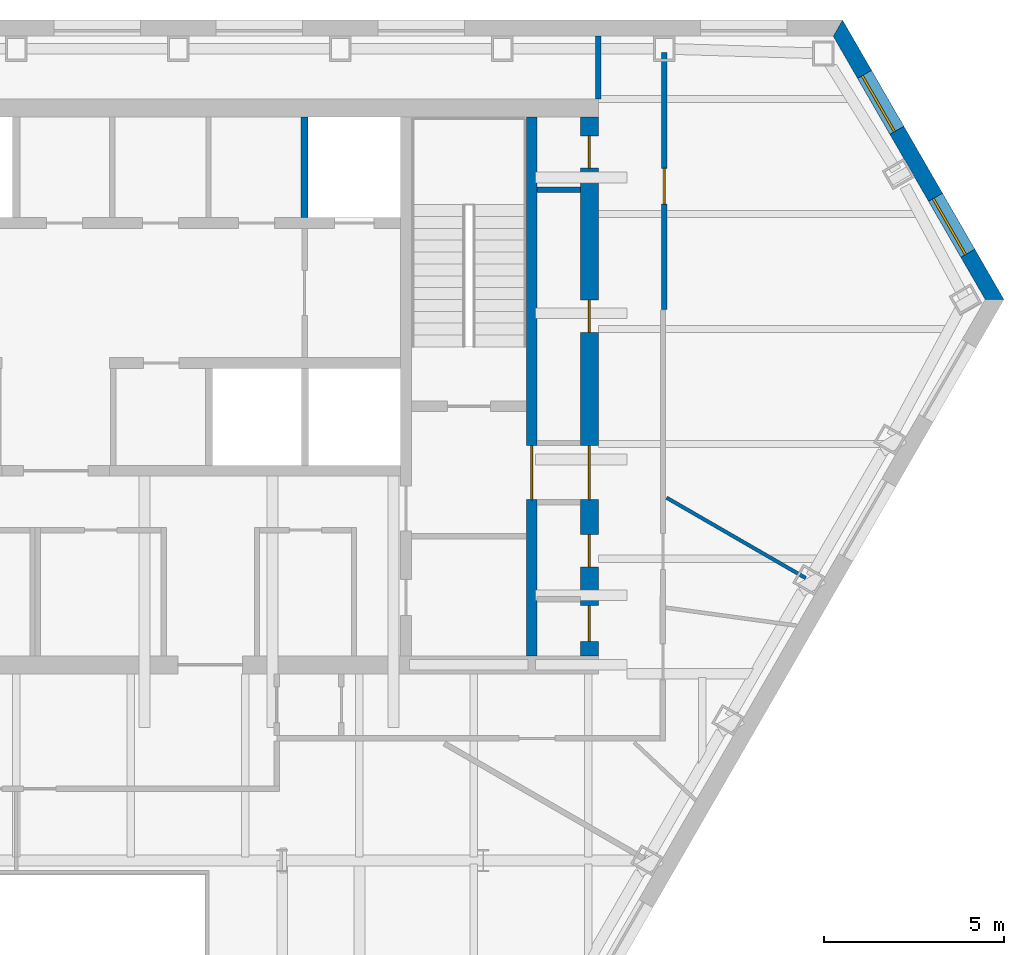
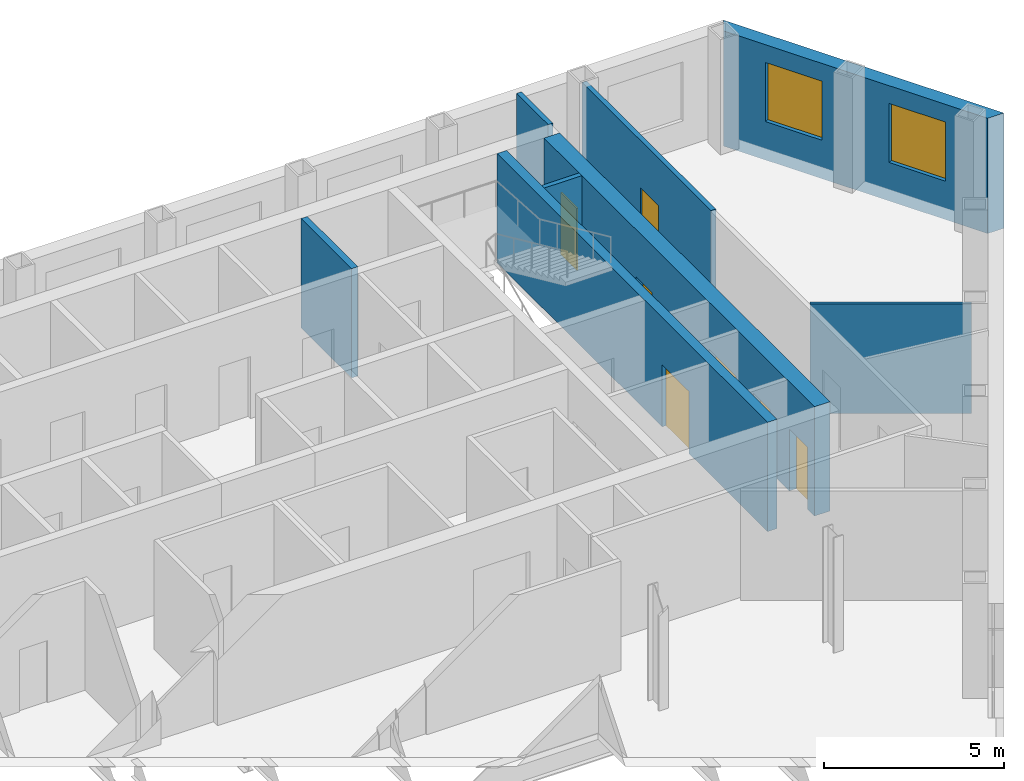
# One storey, part 8 of 11: 8 walls, 7 doors, 2 windows, 9 openings.
"""IFC4 building model written with IfcOpenShell, lengths in metres."""

from ifc_helpers import new_model, si_unit, direction, frame, frame_2d, origin, place, context, subcontext, project, spatial, polyline, rectangle, outline, extrude, material, layer, layer_set, type_object, element, fill, save


model = new_model("IFC4")

# Units and contexts
model_context = context("Model", 3, precision=1e-05, world=origin(), true_north=direction((0.0, 1.0)))
body_context = subcontext(model_context, "Body", "Model", "MODEL_VIEW")
ifc_project = project(units=[si_unit("LENGTHUNIT", "METRE"), si_unit("AREAUNIT", "SQUARE_METRE"), si_unit("VOLUMEUNIT", "CUBIC_METRE"), si_unit("PLANEANGLEUNIT", "RADIAN"), si_unit("MASSUNIT", "GRAM", prefix="KILO")], contexts=[model_context])

# Site, building, storey
site_placement = place(None, origin())
site = spatial("IfcSite", under=ifc_project, at=site_placement, CompositionType="ELEMENT")
building_placement = place(site_placement, origin())
building = spatial("IfcBuilding", under=site, at=building_placement, Name="Njiva Tower", CompositionType="ELEMENT")
storey_placement = place(building_placement, frame((0.0, 0.0, 139.8)))
storey = spatial("IfcBuildingStorey", under=building, at=storey_placement, Name="L29", CompositionType="ELEMENT", Elevation=139.8)

# Wall, opening, door
ifc_material_1 = material(Name="Concrete C40/50", Category="concrete")
ifc_layer_1 = layer(ifc_material_1, 0.3)
ifc_layer_set_1 = layer_set([ifc_layer_1], Name="Concrete C40/50")
wall_type_1 = type_object("IfcWallType", Name="WT10 Stair enclosure wall 300", PredefinedType="SHEAR", material=ifc_layer_set_1)
wall_1_placement = place(storey_placement, frame((14.35, 2.5, 0.0), z_axis=(0.0, 0.0, 1.0), x_axis=(0.0, 1.0, 0.0)))
wall_1 = element("IfcWall", 1, at=wall_1_placement, inside=storey, type_object=wall_type_1, Name="Stair wall east outer", PredefinedType="SHEAR", context=body_context, shape_type="SweptSolid", body=[
    extrude(rectangle(XDim=15.0, YDim=0.3, at=frame_2d((7.5, 0.0))), origin(), (0.0, 0.0, 1.0), 3.7),
])
opening_1_placement = place(wall_1_placement, frame((4.35, 0.0, 0.0)))
opening_1 = element("IfcOpeningElement", 2, at=opening_1_placement, cuts=wall_1, Name="Opening S10-D928", PredefinedType="OPENING", context=body_context, shape_type="SweptSolid", body=[
    extrude(rectangle(XDim=1.5, YDim=2.1, at=frame_2d((0.75, 1.05))), frame((0.0, 0.16, 0.0), z_axis=(0.0, -1.0, 0.0), x_axis=(1.0, 0.0, 0.0)), (0.0, 0.0, 1.0), 0.32),
])
ifc_material_2 = material(Name="Glazed steel fire door", Category="steel")
door_type_1 = type_object("IfcDoorType", Name="D10 Exit door double 1500x2100 glazed", OperationType="DOUBLE_DOOR_SINGLE_SWING", PredefinedType="DOOR", material=ifc_material_2)
door_1_placement = place(opening_1_placement, origin())
door_1 = element("IfcDoor", 3, at=door_1_placement, inside=storey, type_object=door_type_1, Name="Stair B passage door", OperationType="DOUBLE_DOOR_SINGLE_SWING", OverallHeight=2.1, OverallWidth=1.5, PredefinedType="DOOR", context=body_context, shape_type="SweptSolid", body=[
    extrude(rectangle(XDim=1.5, YDim=2.1, at=frame_2d((0.75, 1.05))), frame((0.0, 0.025, 0.0), z_axis=(0.0, -1.0, 0.0), x_axis=(1.0, 0.0, 0.0)), (0.0, 0.0, 1.0), 0.05),
])
fill(opening_1, door_1)

# Wall, openings, doors
ifc_material_3 = material(Name="Concrete C60/75", Category="concrete")
ifc_layer_2 = layer(ifc_material_3, 0.5)
ifc_layer_set_2 = layer_set([ifc_layer_2], Name="Concrete C60/75")
wall_type_2 = type_object("IfcWallType", Name="WT13 Core wall 500", PredefinedType="SHEAR", material=ifc_layer_set_2)
wall_2_placement = place(storey_placement, frame((15.95, 2.5, 0.0), z_axis=(0.0, 0.0, 1.0), x_axis=(0.0, 1.0, 0.0)))
wall_2 = element("IfcWall", 4, at=wall_2_placement, inside=storey, type_object=wall_type_2, Name="Core wall east", PredefinedType="SHEAR", context=body_context, shape_type="SweptSolid", body=[
    extrude(rectangle(XDim=15.0, YDim=0.5, at=frame_2d((7.5, 0.0))), origin(), (0.0, 0.0, 1.0), 3.7),
])
opening_2_placement = place(wall_2_placement, frame((4.35, 0.0, 0.0)))
opening_2 = element("IfcOpeningElement", 5, at=opening_2_placement, cuts=wall_2, Name="Opening S10-D929", PredefinedType="OPENING", context=body_context, shape_type="SweptSolid", body=[
    extrude(rectangle(XDim=1.5, YDim=2.1, at=frame_2d((0.75, 1.05))), frame((0.0, 0.26, 0.0), z_axis=(0.0, -1.0, 0.0), x_axis=(1.0, 0.0, 0.0)), (0.0, 0.0, 1.0), 0.52),
])
opening_3_placement = place(wall_2_placement, frame((0.4, 0.0, 0.0)))
opening_3 = element("IfcOpeningElement", 6, at=opening_3_placement, cuts=wall_2, Name="Opening S10-D930", PredefinedType="OPENING", context=body_context, shape_type="SweptSolid", body=[
    extrude(rectangle(XDim=1.0, YDim=2.1, at=frame_2d((0.5, 1.05))), frame((0.0, 0.26, 0.0), z_axis=(0.0, -1.0, 0.0), x_axis=(1.0, 0.0, 0.0)), (0.0, 0.0, 1.0), 0.52),
])
opening_4_placement = place(wall_2_placement, frame((2.475, 0.0, 0.0)))
opening_4 = element("IfcOpeningElement", 7, at=opening_4_placement, cuts=wall_2, Name="Opening S10-D931", PredefinedType="OPENING", context=body_context, shape_type="SweptSolid", body=[
    extrude(rectangle(XDim=0.9, YDim=2.1, at=frame_2d((0.45, 1.05))), frame((0.0, 0.26, 0.0), z_axis=(0.0, -1.0, 0.0), x_axis=(1.0, 0.0, 0.0)), (0.0, 0.0, 1.0), 0.52),
])
opening_5_placement = place(wall_2_placement, frame((9.0012, 0.0, 0.0)))
opening_5 = element("IfcOpeningElement", 8, at=opening_5_placement, cuts=wall_2, Name="Opening S10-D932", PredefinedType="OPENING", context=body_context, shape_type="SweptSolid", body=[
    extrude(rectangle(XDim=0.9, YDim=2.1, at=frame_2d((0.45, 1.05))), frame((0.0, 0.26, 0.0), z_axis=(0.0, -1.0, 0.0), x_axis=(1.0, 0.0, 0.0)), (0.0, 0.0, 1.0), 0.52),
])
opening_6_placement = place(wall_2_placement, frame((13.5762, 0.0, 0.0)))
opening_6 = element("IfcOpeningElement", 9, at=opening_6_placement, cuts=wall_2, Name="Opening S10-D933", PredefinedType="OPENING", context=body_context, shape_type="SweptSolid", body=[
    extrude(rectangle(XDim=0.9, YDim=2.1, at=frame_2d((0.45, 1.05))), frame((0.0, 0.26, 0.0), z_axis=(0.0, -1.0, 0.0), x_axis=(1.0, 0.0, 0.0)), (0.0, 0.0, 1.0), 0.52),
])
door_2_placement = place(opening_2_placement, origin())
door_2 = element("IfcDoor", 10, at=door_2_placement, inside=storey, type_object=door_type_1, Name="Stair B corridor door", OperationType="DOUBLE_DOOR_SINGLE_SWING", OverallHeight=2.1, OverallWidth=1.5, PredefinedType="DOOR", context=body_context, shape_type="SweptSolid", body=[
    extrude(rectangle(XDim=1.5, YDim=2.1, at=frame_2d((0.75, 1.05))), frame((0.0, 0.025, 0.0), z_axis=(0.0, -1.0, 0.0), x_axis=(1.0, 0.0, 0.0)), (0.0, 0.0, 1.0), 0.05),
])
fill(opening_2, door_2)
ifc_material_4 = material(Name="Steel door, painted", Category="steel")
door_type_2 = type_object("IfcDoorType", Name="D4 Riser door 900x2100", OperationType="SINGLE_SWING_LEFT", PredefinedType="DOOR", material=ifc_material_4)
door_3_placement = place(opening_6_placement, origin())
door_3 = element("IfcDoor", 11, at=door_3_placement, inside=storey, type_object=door_type_2, Name="Cable riser door", OperationType="SINGLE_SWING_RIGHT", OverallHeight=2.1, OverallWidth=0.9, PredefinedType="DOOR", context=body_context, shape_type="SweptSolid", body=[
    extrude(rectangle(XDim=0.9, YDim=2.1, at=frame_2d((0.45, 1.05))), frame((0.0, 0.025, 0.0), z_axis=(0.0, -1.0, 0.0), x_axis=(1.0, 0.0, 0.0)), (0.0, 0.0, 1.0), 0.05),
])
fill(opening_6, door_3)
door_type_3 = type_object("IfcDoorType", Name="D5 Steel door 1000x2100", OperationType="SINGLE_SWING_LEFT", PredefinedType="DOOR", material=ifc_material_4)
door_4_placement = place(opening_3_placement, origin())
door_4 = element("IfcDoor", 12, at=door_4_placement, inside=storey, type_object=door_type_3, Name="Telecoms room door", OperationType="SINGLE_SWING_LEFT", OverallHeight=2.1, OverallWidth=1.0, PredefinedType="DOOR", context=body_context, shape_type="SweptSolid", body=[
    extrude(rectangle(XDim=1.0, YDim=2.1, at=frame_2d((0.5, 1.05))), frame((0.0, 0.025, 0.0), z_axis=(0.0, -1.0, 0.0), x_axis=(1.0, 0.0, 0.0)), (0.0, 0.0, 1.0), 0.05),
])
fill(opening_3, door_4)
ifc_material_5 = material(Name="Steel fire door, painted", Category="steel")
door_type_4 = type_object("IfcDoorType", Name="D6 Fire-rated door 900x2100", OperationType="SINGLE_SWING_LEFT", PredefinedType="DOOR", material=ifc_material_5)
door_5_placement = place(opening_4_placement, origin())
door_5 = element("IfcDoor", 13, at=door_5_placement, inside=storey, type_object=door_type_4, Name="Cable store door", OperationType="SINGLE_SWING_LEFT", OverallHeight=2.1, OverallWidth=0.9, PredefinedType="DOOR", context=body_context, shape_type="SweptSolid", body=[
    extrude(rectangle(XDim=0.9, YDim=2.1, at=frame_2d((0.45, 1.05))), frame((0.0, 0.025, 0.0), z_axis=(0.0, -1.0, 0.0), x_axis=(1.0, 0.0, 0.0)), (0.0, 0.0, 1.0), 0.05),
])
fill(opening_4, door_5)
door_6_placement = place(opening_5_placement, origin())
door_6 = element("IfcDoor", 14, at=door_6_placement, inside=storey, type_object=door_type_4, Name="Cable store door", OperationType="SINGLE_SWING_RIGHT", OverallHeight=2.1, OverallWidth=0.9, PredefinedType="DOOR", context=body_context, shape_type="SweptSolid", body=[
    extrude(rectangle(XDim=0.9, YDim=2.1, at=frame_2d((0.45, 1.05))), frame((0.0, 0.025, 0.0), z_axis=(0.0, -1.0, 0.0), x_axis=(1.0, 0.0, 0.0)), (0.0, 0.0, 1.0), 0.05),
])
fill(opening_5, door_6)

# Walls
ifc_material_6 = material(Name="Gypsum board on steel studs", Category="gypsum")
ifc_layer_3 = layer(ifc_material_6, 0.1)
ifc_layer_set_3 = layer_set([ifc_layer_3], Name="Gypsum board on steel studs")
wall_type_3 = type_object("IfcWallType", Name="WT20 Gypsum partition 100", PredefinedType="PARTITIONING", material=ifc_layer_set_3)
wall_3_placement = place(storey_placement, frame((18.101, 6.902, 0.0), z_axis=(0.0, 0.0, 1.0), x_axis=(0.865951106384, -0.500128664797, 0.0)))
element("IfcWall", 15, at=wall_3_placement, inside=storey, type_object=wall_type_3, Name="Partition S10-P031", PredefinedType="PARTITIONING", context=body_context, shape_type="SweptSolid", body=[
    extrude(rectangle(XDim=4.4748, YDim=0.1, at=frame_2d((2.2374, 0.0))), origin(), (0.0, 0.0, 1.0), 3.7),
])
ifc_layer_4 = layer(ifc_material_6, 0.15)
ifc_layer_set_4 = layer_set([ifc_layer_4], Name="Gypsum board on steel studs")
wall_type_4 = type_object("IfcWallType", Name="WT21 Compartment wall 150", PredefinedType="PARTITIONING", material=ifc_layer_set_4)
wall_4_placement = place(storey_placement, frame((16.2, 18.0, 0.0), z_axis=(0.0, 0.0, 1.0), x_axis=(0.0, 1.0, 0.0)))
element("IfcWall", 16, at=wall_4_placement, inside=storey, type_object=wall_type_4, Name="Partition S10-P026", PredefinedType="PARTITIONING", context=body_context, shape_type="SweptSolid", body=[
    extrude(rectangle(XDim=1.75, YDim=0.15, at=frame_2d((0.875, 0.0))), origin(), (0.0, 0.0, 1.0), 3.7),
])

# Wall, opening, door
wall_5_placement = place(storey_placement, frame((18.034, 12.146, 0.0), z_axis=(0.0, 0.0, 1.0), x_axis=(0.0, 1.0, 0.0)))
wall_5 = element("IfcWall", 17, at=wall_5_placement, inside=storey, type_object=wall_type_4, Name="Partition S10-P029", PredefinedType="PARTITIONING", context=body_context, shape_type="SweptSolid", body=[
    extrude(rectangle(XDim=7.154, YDim=0.15, at=frame_2d((3.577, 0.0))), origin(), (0.0, 0.0, 1.0), 3.7),
])
opening_7_placement = place(wall_5_placement, frame((2.926, 0.0, 0.0)))
opening_7 = element("IfcOpeningElement", 18, at=opening_7_placement, cuts=wall_5, Name="Opening S10-D017", PredefinedType="OPENING", context=body_context, shape_type="SweptSolid", body=[
    extrude(rectangle(XDim=1.0, YDim=2.1, at=frame_2d((0.5, 1.05))), frame((0.0, 0.085, 0.0), z_axis=(0.0, -1.0, 0.0), x_axis=(1.0, 0.0, 0.0)), (0.0, 0.0, 1.0), 0.17),
])
ifc_material_7 = material(Name="Steel fire door set", Category="steel")
door_type_5 = type_object("IfcDoorType", Name="D37 Fire door 1000x2100", OperationType="SINGLE_SWING_LEFT", PredefinedType="DOOR", material=ifc_material_7)
door_7_placement = place(opening_7_placement, origin())
door_7 = element("IfcDoor", 19, at=door_7_placement, inside=storey, type_object=door_type_5, Name="Door S10-D017", OperationType="SINGLE_SWING_LEFT", OverallHeight=2.1, OverallWidth=1.0, PredefinedType="DOOR", context=body_context, shape_type="SweptSolid", body=[
    extrude(rectangle(XDim=1.0, YDim=2.1, at=frame_2d((0.5, 1.05))), frame((0.0, 0.025, 0.0), z_axis=(0.0, -1.0, 0.0), x_axis=(1.0, 0.0, 0.0)), (0.0, 0.0, 1.0), 0.05),
])
fill(opening_7, door_7)

# Walls
ifc_material_8 = material(Name="Blockwork", Category="masonry")
ifc_layer_5 = layer(ifc_material_8, 0.15)
ifc_layer_set_5 = layer_set([ifc_layer_5], Name="Blockwork")
wall_type_5 = type_object("IfcWallType", Name="WT3 Riser partition 150", PredefinedType="PARTITIONING", material=ifc_layer_set_5)
wall_6_placement = place(storey_placement, frame((14.5, 15.4773, 0.0), z_axis=(0.0, 0.0, 1.0), x_axis=(1.0, 0.0, 0.0)))
element("IfcWall", 20, at=wall_6_placement, inside=storey, type_object=wall_type_5, Name="Partition strip E10", PredefinedType="PARTITIONING", context=body_context, shape_type="SweptSolid", body=[
    extrude(rectangle(XDim=1.2, YDim=0.15, at=frame_2d((0.6, 0.0))), origin(), (0.0, 0.0, 1.0), 3.7),
])
ifc_layer_6 = layer(ifc_material_1, 0.2)
ifc_layer_set_6 = layer_set([ifc_layer_6], Name="Concrete C40/50")
wall_type_6 = type_object("IfcWallType", Name="WT6 Lift shaft wall 200", PredefinedType="SHEAR", material=ifc_layer_set_6)
wall_7_placement = place(storey_placement, frame((8.025, 14.7, 0.0), z_axis=(0.0, 0.0, 1.0), x_axis=(0.0, 1.0, 0.0)))
element("IfcWall", 21, at=wall_7_placement, inside=storey, type_object=wall_type_6, Name="Shaft wall CN7", PredefinedType="SHEAR", context=body_context, shape_type="SweptSolid", body=[
    extrude(rectangle(XDim=2.8, YDim=0.2, at=frame_2d((1.4, 0.0))), origin(), (0.0, 0.0, 1.0), 3.7),
])

# Wall, openings, windows
ifc_material_9 = material(Name="Brick masonry, buff", Category="masonry")
ifc_layer_7 = layer(ifc_material_9, 0.45)
ifc_layer_set_7 = layer_set([ifc_layer_7], Name="Brick masonry, buff")
wall_type_7 = type_object("IfcWallType", Name="WT94 Brick pier and spandrel wall 450, buff", PredefinedType="SOLIDWALL", material=ifc_layer_set_7)
wall_8_placement = place(storey_placement, frame((27.2314, 12.4209, -0.4), z_axis=(0.0, 0.0, 1.0), x_axis=(-0.500000731243, 0.866024981601, 0.0)))
wall_8 = element("IfcWall", 22, at=wall_8_placement, inside=storey, type_object=wall_type_7, Name="Facade wall NE", PredefinedType="SOLIDWALL", context=body_context, shape_type="SweptSolid", body=[
    extrude(outline(polyline([(-0.1299, -0.225), (8.8501, -0.225), (8.5903, 0.225), (0.1299, 0.225), (-0.1299, -0.225)])), origin(), (0.0, 0.0, 1.0), 3.9),
])
opening_8_placement = place(wall_8_placement, frame((1.4844, 0.0, 1.3)))
opening_8 = element("IfcOpeningElement", 23, at=opening_8_placement, cuts=wall_8, Name="Opening S10-W32", PredefinedType="OPENING", context=body_context, shape_type="SweptSolid", body=[
    extrude(rectangle(XDim=1.8, YDim=2.0, at=frame_2d((0.9, 1.0))), frame((0.0, 0.235, 0.0), z_axis=(0.0, -1.0, 0.0), x_axis=(1.0, 0.0, 0.0)), (0.0, 0.0, 1.0), 0.47),
])
opening_9_placement = place(wall_8_placement, frame((5.4357, 0.0, 1.3)))
opening_9 = element("IfcOpeningElement", 24, at=opening_9_placement, cuts=wall_8, Name="Opening S10-W33", PredefinedType="OPENING", context=body_context, shape_type="SweptSolid", body=[
    extrude(rectangle(XDim=1.8, YDim=2.0, at=frame_2d((0.9, 1.0))), frame((0.0, 0.235, 0.0), z_axis=(0.0, -1.0, 0.0), x_axis=(1.0, 0.0, 0.0)), (0.0, 0.0, 1.0), 0.47),
])
ifc_material_10 = material(Name="Clear glazing in aluminium frame", Category="aluminium")
window_type = type_object("IfcWindowType", Name="W94 Deep-set window 1800x2000", PartitioningType="SINGLE_PANEL", PredefinedType="WINDOW", material=ifc_material_10)
window_1_placement = place(opening_8_placement, origin())
window_1 = element("IfcWindow", 25, at=window_1_placement, inside=storey, type_object=window_type, Name="Window", OverallHeight=2.0, OverallWidth=1.8, PartitioningType="SINGLE_PANEL", PredefinedType="WINDOW", context=body_context, shape_type="SweptSolid", body=[
    extrude(rectangle(XDim=1.8, YDim=2.0, at=frame_2d((0.9, 1.0))), frame((0.0, 0.105, 0.0), z_axis=(0.0, -1.0, 0.0), x_axis=(1.0, 0.0, 0.0)), (0.0, 0.0, 1.0), 0.06),
])
fill(opening_8, window_1)
window_2_placement = place(opening_9_placement, origin())
window_2 = element("IfcWindow", 26, at=window_2_placement, inside=storey, type_object=window_type, Name="Window", OverallHeight=2.0, OverallWidth=1.8, PartitioningType="SINGLE_PANEL", PredefinedType="WINDOW", context=body_context, shape_type="SweptSolid", body=[
    extrude(rectangle(XDim=1.8, YDim=2.0, at=frame_2d((0.9, 1.0))), frame((0.0, 0.105, 0.0), z_axis=(0.0, -1.0, 0.0), x_axis=(1.0, 0.0, 0.0)), (0.0, 0.0, 1.0), 0.06),
])
fill(opening_9, window_2)

save(model, "model.ifc")
